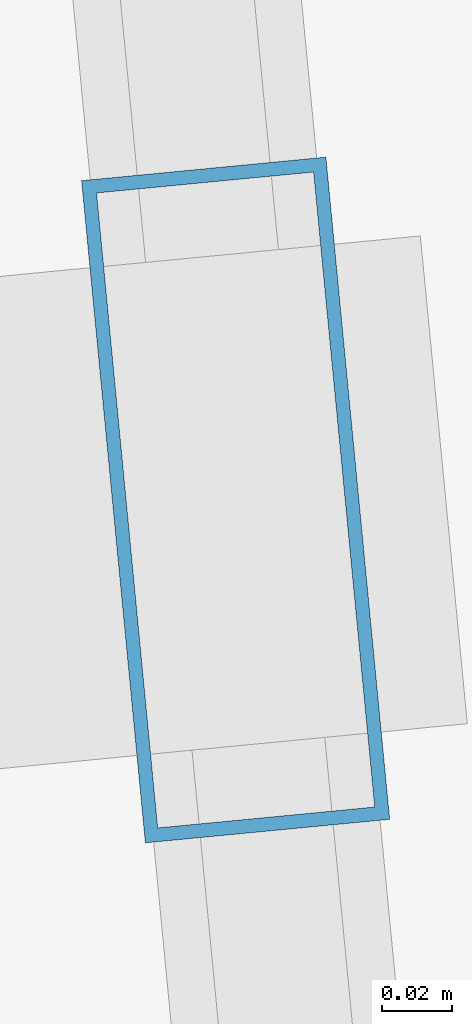
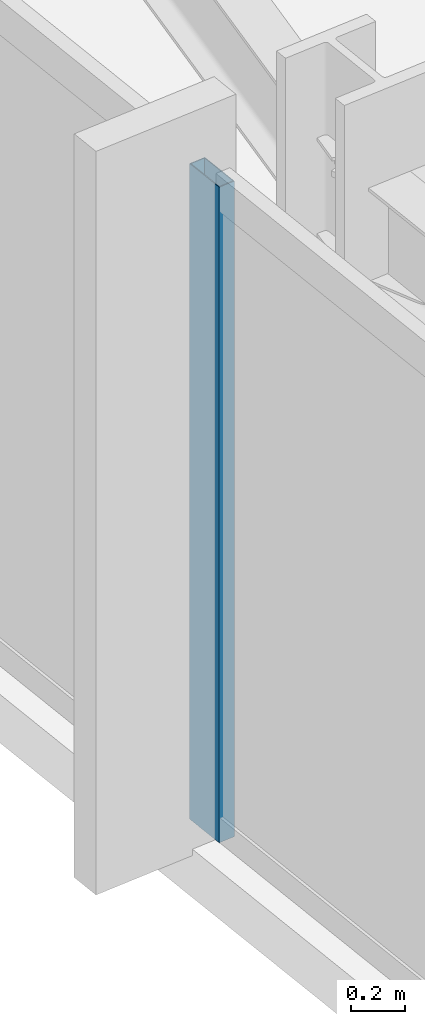
# One storey, part 8 of 32: 1 member, 1 element without a shape of its own.
"""IFC4 building model written with IfcOpenShell, lengths in metres."""

from ifc_helpers import new_model, si_unit, direction, frame, origin, origin_2d, place, context, subcontext, project, spatial, hollow_rectangle, extrude, material, material_profile, profile_set, type_object, element, aggregate, save


model = new_model("IFC4")

# Units and contexts
model_context = context("Model", 3, precision=1e-05, world=origin(), true_north=direction((0.0, 1.0)))
body_context = subcontext(model_context, "Body", "Model", "MODEL_VIEW")
ifc_project = project(units=[si_unit("LENGTHUNIT", "METRE"), si_unit("AREAUNIT", "SQUARE_METRE"), si_unit("VOLUMEUNIT", "CUBIC_METRE"), si_unit("PLANEANGLEUNIT", "RADIAN"), si_unit("MASSUNIT", "GRAM", prefix="KILO")], contexts=[model_context])

# Site, building, storey
site_placement = place(None, origin())
site = spatial("IfcSite", under=ifc_project, at=site_placement, CompositionType="ELEMENT")
building_placement = place(site_placement, origin())
building = spatial("IfcBuilding", under=site, at=building_placement, Name="Yelkora Congress Tower", CompositionType="ELEMENT")
storey_placement = place(building_placement, frame((0.0, 0.0, 133.89990234375)))
storey = spatial("IfcBuildingStorey", under=building, at=storey_placement, Name="L36", CompositionType="ELEMENT", Elevation=133.89990234375)

# Curtain wall, member
ifc_material_1 = material(Name="Anodised aluminium and insulated glass", Category="aluminium")
curtain_wall_type = type_object("IfcCurtainWallType", Name="CW-SYS-B2", PredefinedType="NOTDEFINED", material=ifc_material_1)
curtain_wall_placement = place(storey_placement, origin())
curtain_wall = element("IfcCurtainWall", 1, at=curtain_wall_placement, inside=storey, type_object=curtain_wall_type, Name="L36 Unitised Curtain Wall 5", PredefinedType="NOTDEFINED")
ifc_material_2 = material(Name="Anodised aluminium 6063-T6", Category="aluminium")
ifc_material_profile = material_profile(ifc_material_2, hollow_rectangle(XDim=0.070068359375, YDim=0.18994140625, WallThickness=0.00390625, at=origin_2d()), Name="ALU 70x190x4")
ifc_profile_set = profile_set([ifc_material_profile], Name="Anodised aluminium 6063-T6")
member_type = type_object("IfcMemberType", Name="MEM-ML-B2", PredefinedType="MULLION", material=ifc_profile_set)
member_placement = place(storey_placement, frame((14.47021484375, 35.0341796875, 0.0), z_axis=(0.0, 0.0, 1.0), x_axis=(-0.995396507508, -0.095842541913, 0.0)))
member = element("IfcMember", 2, at=member_placement, type_object=member_type, Name="CW-B2 mullion 4", PredefinedType="MULLION", context=body_context, shape_type="SweptSolid", body=[
    extrude(hollow_rectangle(XDim=0.070068359375, YDim=0.18994140625, WallThickness=0.00390625, at=origin_2d()), origin(), (0.0, 0.0, 1.0), 2.97998046875),
])
aggregate(curtain_wall, [member])

save(model, "model.ifc")
